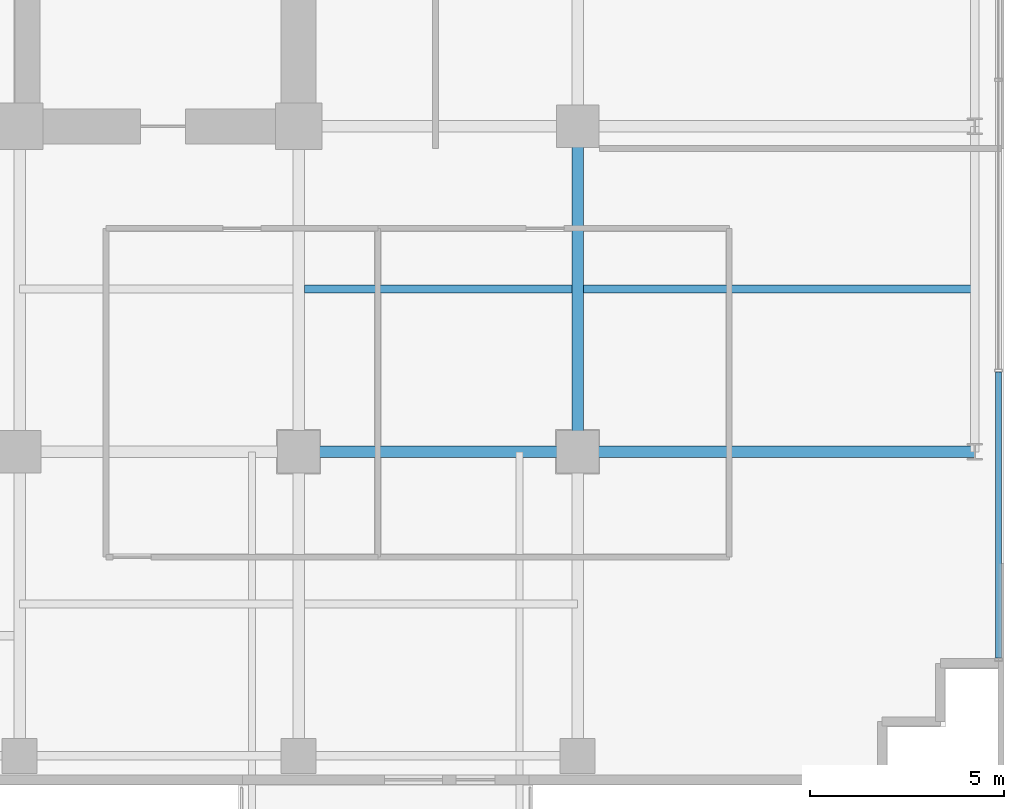
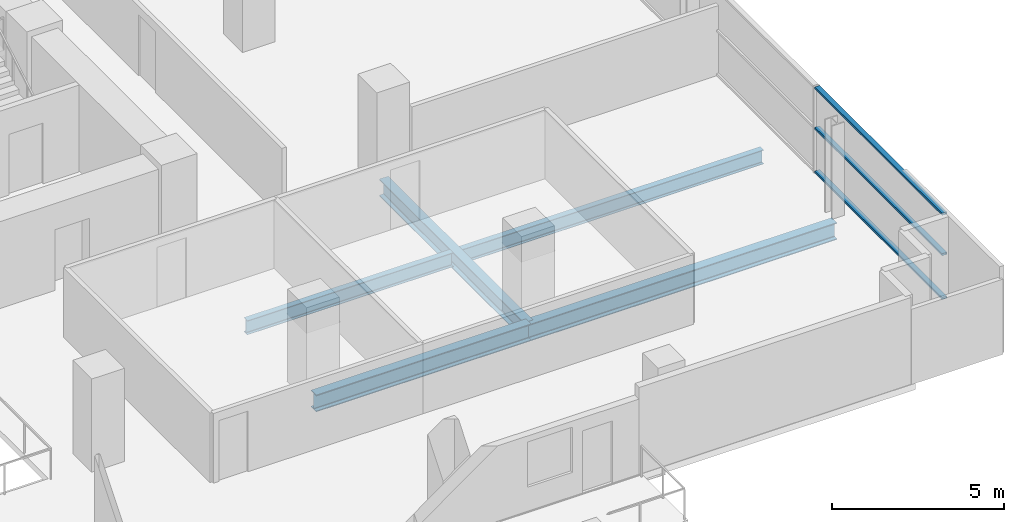
# One storey, part 12 of 31: 5 beams, 3 members, 1 element without a shape of its own.
"""IFC4 building model written with IfcOpenShell, lengths in metres."""

from ifc_helpers import new_model, si_unit, direction, frame, origin, origin_2d, place, context, subcontext, project, spatial, hollow_rectangle, i_section, extrude, source, transform, mapped, material, layer, layer_set, material_profile, profile_set, type_object, element, aggregate, save


model = new_model("IFC4")

# Units and contexts
model_context = context("Model", 3, precision=1e-05, world=origin(), true_north=direction((0.0, 1.0)))
body_context = subcontext(model_context, "Body", "Model", "MODEL_VIEW")
ifc_project = project(units=[si_unit("LENGTHUNIT", "METRE"), si_unit("AREAUNIT", "SQUARE_METRE"), si_unit("VOLUMEUNIT", "CUBIC_METRE"), si_unit("PLANEANGLEUNIT", "RADIAN"), si_unit("MASSUNIT", "GRAM", prefix="KILO")], contexts=[model_context])

# Site, building, storey
site_placement = place(None, origin())
site = spatial("IfcSite", under=ifc_project, at=site_placement, CompositionType="ELEMENT")
building_placement = place(site_placement, origin())
building = spatial("IfcBuilding", under=site, at=building_placement, Name="Zarnakvel Exchange Tower", CompositionType="ELEMENT")
storey_placement = place(building_placement, frame((0.0, 0.0, 60.39990234375)))
storey = spatial("IfcBuildingStorey", under=building, at=storey_placement, Name="L16", CompositionType="ELEMENT", Elevation=60.39990234375)

# Beams
ifc_material_1 = material(Name="Steel S355", Category="steel")
ifc_material_profile_1 = material_profile(ifc_material_1, i_section(OverallWidth=0.199951171875, OverallDepth=0.5, WebThickness=0.01025390625, FlangeThickness=0.01611328125, FilletRadius=0.02099609375, at=origin_2d()))
ifc_profile_set_1 = profile_set([ifc_material_profile_1], Name="Steel S355")
beam_type_1 = type_object("IfcBeamType", Name="B-04", PredefinedType="JOIST", material=ifc_profile_set_1)
beam_1_placement = place(storey_placement, frame((14.550048828125, -5.39990234375, -0.474853515625), z_axis=(1.0, 0.0, 0.0), x_axis=(0.0, 1.0, 0.0)))
element("IfcBeam", 1, at=beam_1_placement, inside=storey, type_object=beam_type_1, Name="L16 Composite Floor Secondary Joist", PredefinedType="JOIST", context=body_context, shape_type="SweptSolid", body=[
    extrude(i_section(OverallWidth=0.199951171875, OverallDepth=0.5, WebThickness=0.01025390625, FlangeThickness=0.01611328125, FilletRadius=0.02099609375, at=origin_2d()), origin(), (0.0, 0.0, 1.0), 6.89990234375),
])
beam_2_placement = place(storey_placement, frame((21.75, -5.39990234375, -0.474853515625), z_axis=(1.0, 0.0, 0.0), x_axis=(0.0, 1.0, 0.0)))
element("IfcBeam", 2, at=beam_2_placement, inside=storey, type_object=beam_type_1, Name="L16 Composite Floor Secondary Joist", PredefinedType="JOIST", context=body_context, shape_type="SweptSolid", body=[
    extrude(i_section(OverallWidth=0.199951171875, OverallDepth=0.5, WebThickness=0.01025390625, FlangeThickness=0.01611328125, FilletRadius=0.02099609375, at=origin_2d()), origin(), (0.0, 0.0, 1.0), 10.10009765625),
])
ifc_material_profile_2 = material_profile(ifc_material_1, i_section(OverallWidth=0.300048828125, OverallDepth=0.60009765625, WebThickness=0.015380859375, FlangeThickness=0.030029296875, FilletRadius=0.027099609375, at=origin_2d()))
ifc_profile_set_2 = profile_set([ifc_material_profile_2], Name="Steel S355")
beam_type_2 = type_object("IfcBeamType", Name="G-04", PredefinedType="BEAM", material=ifc_profile_set_2)
beam_3_placement = place(storey_placement, frame((14.39990234375, -9.60009765625, -0.52490234375), z_axis=(1.0, 0.0, 0.0), x_axis=(0.0, 1.0, 0.0)))
element("IfcBeam", 3, at=beam_3_placement, inside=storey, type_object=beam_type_2, Name="L16 Tower E-W Frame Beam", PredefinedType="BEAM", context=body_context, shape_type="SweptSolid", body=[
    extrude(i_section(OverallWidth=0.300048828125, OverallDepth=0.60009765625, WebThickness=0.015380859375, FlangeThickness=0.030029296875, FilletRadius=0.027099609375, at=origin_2d()), origin(), (0.0, 0.0, 1.0), 7.2001953125),
])
beam_4_placement = place(storey_placement, frame((21.60009765625, -9.60009765625, -0.52490234375), z_axis=(1.0, 0.0, 0.0), x_axis=(0.0, 1.0, 0.0)))
element("IfcBeam", 4, at=beam_4_placement, inside=storey, type_object=beam_type_2, Name="L16 Tower E-W Frame Beam", PredefinedType="BEAM", context=body_context, shape_type="SweptSolid", body=[
    extrude(i_section(OverallWidth=0.300048828125, OverallDepth=0.60009765625, WebThickness=0.015380859375, FlangeThickness=0.030029296875, FilletRadius=0.027099609375, at=origin_2d()), origin(), (0.0, 0.0, 1.0), 10.25),
])
beam_5_placement = place(storey_placement, frame((21.60009765625, -9.60009765625, -0.52490234375), z_axis=(0.0, 1.0, 0.0), x_axis=(-1.0, 0.0, 0.0)))
element("IfcBeam", 5, at=beam_5_placement, inside=storey, type_object=beam_type_2, Name="L16 Tower N-S Frame Beam", PredefinedType="BEAM", context=body_context, shape_type="SweptSolid", body=[
    extrude(i_section(OverallWidth=0.300048828125, OverallDepth=0.60009765625, WebThickness=0.015380859375, FlangeThickness=0.030029296875, FilletRadius=0.027099609375, at=origin_2d()), origin(), (0.0, 0.0, 1.0), 8.400146484375),
])

# Curtain wall, members
ifc_material_2 = material(Name="Architectural Bronze Anodised Aluminium", Category="aluminium")
ifc_layer = layer(ifc_material_2, 0.199951171875)
ifc_layer_set = layer_set([ifc_layer], Name="Architectural Bronze Anodised Aluminium")
curtain_wall_type = type_object("IfcCurtainWallType", Name="CW-04", PredefinedType="NOTDEFINED", material=ifc_layer_set)
curtain_wall_placement = place(storey_placement, origin())
curtain_wall = element("IfcCurtainWall", 6, at=curtain_wall_placement, inside=storey, type_object=curtain_wall_type, Name="L16 Curtain Wall CW-L16-E1 (CW-04)", PredefinedType="NOTDEFINED")
ifc_material_profile_3 = material_profile(ifc_material_2, hollow_rectangle(XDim=0.159912109375, YDim=0.074951171875, WallThickness=0.00390625, at=origin_2d()))
ifc_profile_set_3 = profile_set([ifc_material_profile_3], Name="Architectural Bronze Anodised Aluminium")
member_type = type_object("IfcMemberType", Name="CWT-04", PredefinedType="USERDEFINED", material=ifc_profile_set_3)
shared_shape = source(origin(), body_context, "Body", "SweptSolid", [
    extrude(hollow_rectangle(XDim=0.159912109375, YDim=0.074951171875, WallThickness=0.00390625, at=origin_2d()), origin(), (0.0, 0.0, 1.0), 7.387451171875),
])
member_1_placement = place(storey_placement, frame((32.4599609375, -14.925048828125, 0.03759765625), z_axis=(0.0, 1.0, 0.0), x_axis=(-1.0, 0.0, 0.0)))
member_1 = element("IfcMember", 7, at=member_1_placement, type_object=member_type, Name="CW-04 transom 1.1", ObjectType="TRANSOM", PredefinedType="USERDEFINED", context=body_context, shape_type="MappedRepresentation", body=[
    mapped(shared_shape, transform((0.0, 0.0, 0.0), x_axis=(1.0, 0.0, 0.0), y_axis=(0.0, 1.0, 0.0), z_axis=(0.0, 0.0, 1.0), scale=1.0)),
])
member_2_placement = place(storey_placement, frame((32.4599609375, -14.925048828125, 1.588623046875), z_axis=(0.0, 1.0, 0.0), x_axis=(-1.0, 0.0, 0.0)))
member_2 = element("IfcMember", 8, at=member_2_placement, type_object=member_type, Name="CW-04 transom 1.2", ObjectType="TRANSOM", PredefinedType="USERDEFINED", context=body_context, shape_type="MappedRepresentation", body=[
    mapped(shared_shape, transform((0.0, 0.0, 0.0), x_axis=(1.0, 0.0, 0.0), y_axis=(0.0, 1.0, 0.0), z_axis=(0.0, 0.0, 1.0), scale=1.0)),
])
member_3_placement = place(storey_placement, frame((32.4599609375, -14.925048828125, 3.017578125), z_axis=(0.0, 1.0, 0.0), x_axis=(-1.0, 0.0, 0.0)))
member_3 = element("IfcMember", 9, at=member_3_placement, type_object=member_type, Name="CW-04 transom 1.3", ObjectType="TRANSOM", PredefinedType="USERDEFINED", context=body_context, shape_type="MappedRepresentation", body=[
    mapped(shared_shape, transform((0.0, 0.0, 0.0), x_axis=(1.0, 0.0, 0.0), y_axis=(0.0, 1.0, 0.0), z_axis=(0.0, 0.0, 1.0), scale=1.0)),
])
aggregate(curtain_wall, [member_1, member_2, member_3])

save(model, "model.ifc")
